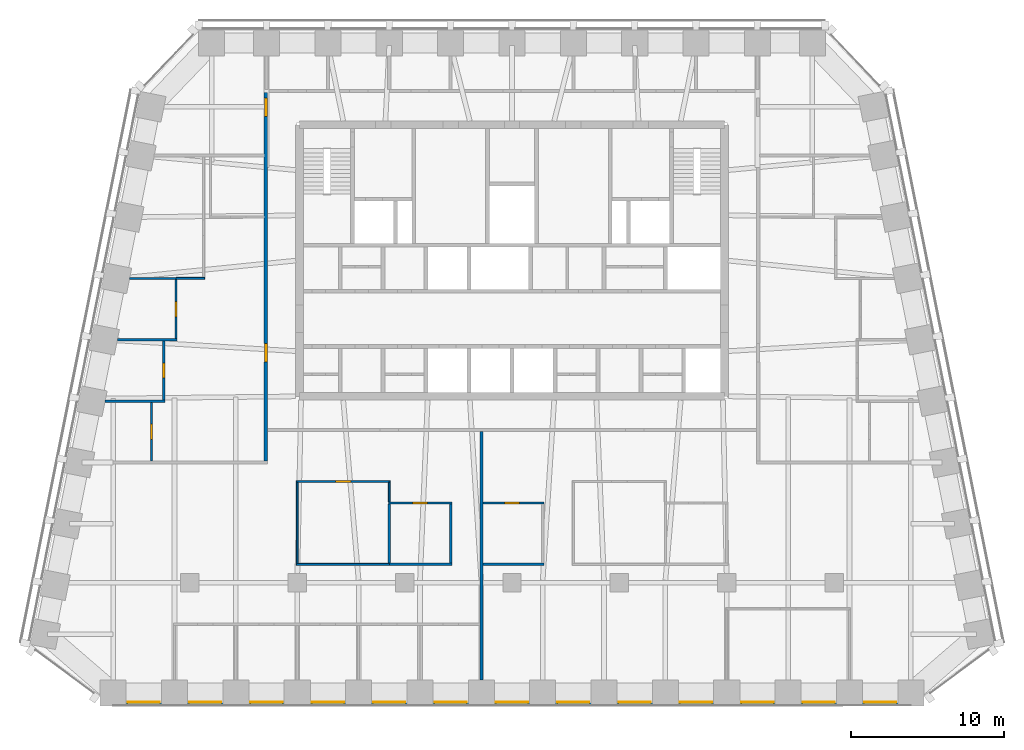
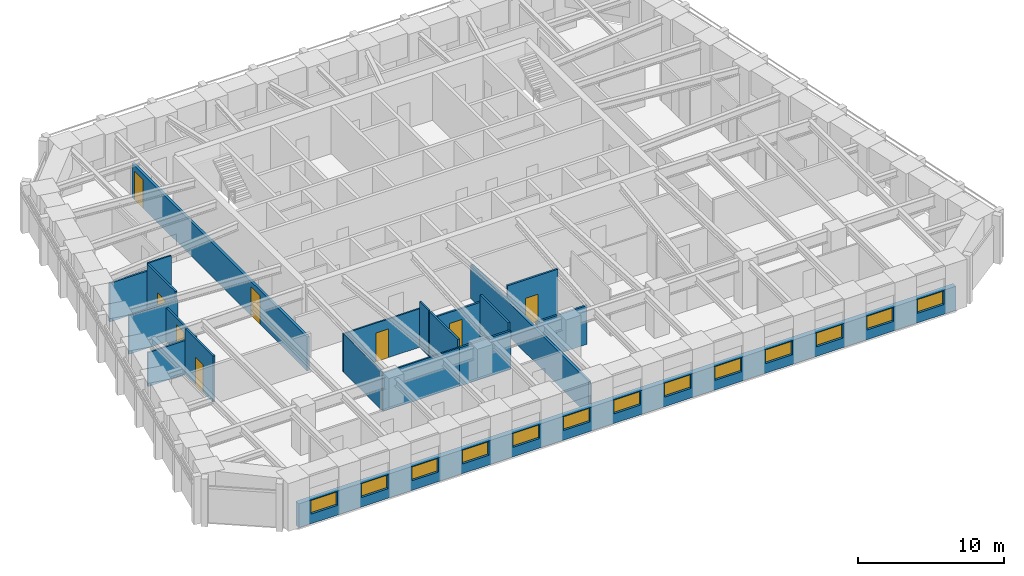
# One storey, part 5 of 11: 20 walls, 13 windows, 8 doors, 21 openings.
"""IFC4 building model written with IfcOpenShell, lengths in metres."""

from ifc_helpers import new_model, si_unit, direction, frame, frame_2d, origin, place, context, subcontext, project, spatial, rectangle, extrude, material, layer, layer_set, type_object, element, fill, save


model = new_model("IFC4")

# Units and contexts
model_context = context("Model", 3, precision=1e-05, world=origin(), true_north=direction((0.0, 1.0)))
body_context = subcontext(model_context, "Body", "Model", "MODEL_VIEW")
ifc_project = project(units=[si_unit("LENGTHUNIT", "METRE"), si_unit("AREAUNIT", "SQUARE_METRE"), si_unit("VOLUMEUNIT", "CUBIC_METRE"), si_unit("PLANEANGLEUNIT", "RADIAN"), si_unit("MASSUNIT", "GRAM", prefix="KILO")], contexts=[model_context])

# Site, building, storey
site_placement = place(None, origin())
site = spatial("IfcSite", under=ifc_project, at=site_placement, CompositionType="ELEMENT")
building_placement = place(site_placement, origin())
building = spatial("IfcBuilding", under=site, at=building_placement, Name="Isbrekke Arena Tower", CompositionType="ELEMENT")
storey_placement = place(building_placement, frame((0.0, 0.0, 264.0)))
storey = spatial("IfcBuildingStorey", under=building, at=storey_placement, Name="L61", CompositionType="ELEMENT", Elevation=264.0)

# Wall, openings, windows
ifc_material_1 = material(Name="Copper cladding on insulated framing", Category="metal")
ifc_layer_1 = layer(ifc_material_1, 0.39990234375)
ifc_layer_set_1 = layer_set([ifc_layer_1], Name="EW2 COPPER-CLAD WALL 400")
wall_type_1 = type_object("IfcWallType", Name="EW2 COPPER-CLAD WALL 400", PredefinedType="SOLIDWALL", material=ifc_layer_set_1)
wall_1_placement = place(storey_placement, frame((-26.0, -13.800048828125, 0.0), z_axis=(0.0, 0.0, 1.0), x_axis=(1.0, 0.0, 0.0)))
wall_1 = element("IfcWall", 1, at=wall_1_placement, inside=storey, type_object=wall_type_1, Name="EW2 terrace wall L61", PredefinedType="SOLIDWALL", context=body_context, shape_type="SweptSolid", body=[
    extrude(rectangle(XDim=52.0, YDim=0.39990234375, at=frame_2d((26.0, 0.0))), origin(), (0.0, 0.0, 1.0), 2.0),
])
opening_1_placement = place(wall_1_placement, frame((0.949951171875, 0.0, 0.800048828125)))
opening_1 = element("IfcOpeningElement", 2, at=opening_1_placement, cuts=wall_1, Name="Opening WN1", PredefinedType="OPENING", context=body_context, shape_type="SweptSolid", body=[
    extrude(rectangle(XDim=2.10009765625, YDim=1.14990234375, at=frame_2d((1.050048828125, 0.574951171875))), frame((0.0, 0.21484375, 0.0), z_axis=(0.0, -1.0, 0.0), x_axis=(1.0, 0.0, 0.0)), (0.0, 0.0, 1.0), 0.4296875),
])
opening_2_placement = place(wall_1_placement, frame((4.949951171875, 0.0, 0.800048828125)))
opening_2 = element("IfcOpeningElement", 3, at=opening_2_placement, cuts=wall_1, Name="Opening WN1", PredefinedType="OPENING", context=body_context, shape_type="SweptSolid", body=[
    extrude(rectangle(XDim=2.10009765625, YDim=1.14990234375, at=frame_2d((1.050048828125, 0.574951171875))), frame((0.0, 0.21484375, 0.0), z_axis=(0.0, -1.0, 0.0), x_axis=(1.0, 0.0, 0.0)), (0.0, 0.0, 1.0), 0.4296875),
])
opening_3_placement = place(wall_1_placement, frame((8.949951171875, 0.0, 0.800048828125)))
opening_3 = element("IfcOpeningElement", 4, at=opening_3_placement, cuts=wall_1, Name="Opening WN1", PredefinedType="OPENING", context=body_context, shape_type="SweptSolid", body=[
    extrude(rectangle(XDim=2.10009765625, YDim=1.14990234375, at=frame_2d((1.050048828125, 0.574951171875))), frame((0.0, 0.21484375, 0.0), z_axis=(0.0, -1.0, 0.0), x_axis=(1.0, 0.0, 0.0)), (0.0, 0.0, 1.0), 0.4296875),
])
opening_4_placement = place(wall_1_placement, frame((12.949951171875, 0.0, 0.800048828125)))
opening_4 = element("IfcOpeningElement", 5, at=opening_4_placement, cuts=wall_1, Name="Opening WN1", PredefinedType="OPENING", context=body_context, shape_type="SweptSolid", body=[
    extrude(rectangle(XDim=2.10009765625, YDim=1.14990234375, at=frame_2d((1.050048828125, 0.574951171875))), frame((0.0, 0.21484375, 0.0), z_axis=(0.0, -1.0, 0.0), x_axis=(1.0, 0.0, 0.0)), (0.0, 0.0, 1.0), 0.4296875),
])
opening_5_placement = place(wall_1_placement, frame((16.949951171875, 0.0, 0.800048828125)))
opening_5 = element("IfcOpeningElement", 6, at=opening_5_placement, cuts=wall_1, Name="Opening WN1", PredefinedType="OPENING", context=body_context, shape_type="SweptSolid", body=[
    extrude(rectangle(XDim=2.10009765625, YDim=1.14990234375, at=frame_2d((1.050048828125, 0.574951171875))), frame((0.0, 0.21484375, 0.0), z_axis=(0.0, -1.0, 0.0), x_axis=(1.0, 0.0, 0.0)), (0.0, 0.0, 1.0), 0.4296875),
])
opening_6_placement = place(wall_1_placement, frame((20.949951171875, 0.0, 0.800048828125)))
opening_6 = element("IfcOpeningElement", 7, at=opening_6_placement, cuts=wall_1, Name="Opening WN1", PredefinedType="OPENING", context=body_context, shape_type="SweptSolid", body=[
    extrude(rectangle(XDim=2.10009765625, YDim=1.14990234375, at=frame_2d((1.050048828125, 0.574951171875))), frame((0.0, 0.21484375, 0.0), z_axis=(0.0, -1.0, 0.0), x_axis=(1.0, 0.0, 0.0)), (0.0, 0.0, 1.0), 0.4296875),
])
opening_7_placement = place(wall_1_placement, frame((24.949951171875, 0.0, 0.800048828125)))
opening_7 = element("IfcOpeningElement", 8, at=opening_7_placement, cuts=wall_1, Name="Opening WN1", PredefinedType="OPENING", context=body_context, shape_type="SweptSolid", body=[
    extrude(rectangle(XDim=2.10009765625, YDim=1.14990234375, at=frame_2d((1.050048828125, 0.574951171875))), frame((0.0, 0.21484375, 0.0), z_axis=(0.0, -1.0, 0.0), x_axis=(1.0, 0.0, 0.0)), (0.0, 0.0, 1.0), 0.4296875),
])
opening_8_placement = place(wall_1_placement, frame((28.949951171875, 0.0, 0.800048828125)))
opening_8 = element("IfcOpeningElement", 9, at=opening_8_placement, cuts=wall_1, Name="Opening WN1", PredefinedType="OPENING", context=body_context, shape_type="SweptSolid", body=[
    extrude(rectangle(XDim=2.10009765625, YDim=1.14990234375, at=frame_2d((1.050048828125, 0.574951171875))), frame((0.0, 0.21484375, 0.0), z_axis=(0.0, -1.0, 0.0), x_axis=(1.0, 0.0, 0.0)), (0.0, 0.0, 1.0), 0.4296875),
])
opening_9_placement = place(wall_1_placement, frame((32.949951171875, 0.0, 0.800048828125)))
opening_9 = element("IfcOpeningElement", 10, at=opening_9_placement, cuts=wall_1, Name="Opening WN1", PredefinedType="OPENING", context=body_context, shape_type="SweptSolid", body=[
    extrude(rectangle(XDim=2.10009765625, YDim=1.14990234375, at=frame_2d((1.050048828125, 0.574951171875))), frame((0.0, 0.21484375, 0.0), z_axis=(0.0, -1.0, 0.0), x_axis=(1.0, 0.0, 0.0)), (0.0, 0.0, 1.0), 0.4296875),
])
opening_10_placement = place(wall_1_placement, frame((36.949951171875, 0.0, 0.800048828125)))
opening_10 = element("IfcOpeningElement", 11, at=opening_10_placement, cuts=wall_1, Name="Opening WN1", PredefinedType="OPENING", context=body_context, shape_type="SweptSolid", body=[
    extrude(rectangle(XDim=2.10009765625, YDim=1.14990234375, at=frame_2d((1.050048828125, 0.574951171875))), frame((0.0, 0.21484375, 0.0), z_axis=(0.0, -1.0, 0.0), x_axis=(1.0, 0.0, 0.0)), (0.0, 0.0, 1.0), 0.4296875),
])
opening_11_placement = place(wall_1_placement, frame((40.949951171875, 0.0, 0.800048828125)))
opening_11 = element("IfcOpeningElement", 12, at=opening_11_placement, cuts=wall_1, Name="Opening WN1", PredefinedType="OPENING", context=body_context, shape_type="SweptSolid", body=[
    extrude(rectangle(XDim=2.10009765625, YDim=1.14990234375, at=frame_2d((1.050048828125, 0.574951171875))), frame((0.0, 0.21484375, 0.0), z_axis=(0.0, -1.0, 0.0), x_axis=(1.0, 0.0, 0.0)), (0.0, 0.0, 1.0), 0.4296875),
])
opening_12_placement = place(wall_1_placement, frame((44.949951171875, 0.0, 0.800048828125)))
opening_12 = element("IfcOpeningElement", 13, at=opening_12_placement, cuts=wall_1, Name="Opening WN1", PredefinedType="OPENING", context=body_context, shape_type="SweptSolid", body=[
    extrude(rectangle(XDim=2.10009765625, YDim=1.14990234375, at=frame_2d((1.050048828125, 0.574951171875))), frame((0.0, 0.21484375, 0.0), z_axis=(0.0, -1.0, 0.0), x_axis=(1.0, 0.0, 0.0)), (0.0, 0.0, 1.0), 0.4296875),
])
opening_13_placement = place(wall_1_placement, frame((48.949951171875, 0.0, 0.800048828125)))
opening_13 = element("IfcOpeningElement", 14, at=opening_13_placement, cuts=wall_1, Name="Opening WN1", PredefinedType="OPENING", context=body_context, shape_type="SweptSolid", body=[
    extrude(rectangle(XDim=2.10009765625, YDim=1.14990234375, at=frame_2d((1.050048828125, 0.574951171875))), frame((0.0, 0.21484375, 0.0), z_axis=(0.0, -1.0, 0.0), x_axis=(1.0, 0.0, 0.0)), (0.0, 0.0, 1.0), 0.4296875),
])
ifc_material_2 = material(Name="Timber-aluminium window, triple glazed", Category="wood")
window_type = type_object("IfcWindowType", Name="WN1 TERRACE WINDOW 2100 x 1150", PartitioningType="SINGLE_PANEL", PredefinedType="WINDOW", material=ifc_material_2)
window_1_placement = place(opening_1_placement, origin())
window_1 = element("IfcWindow", 15, at=window_1_placement, inside=storey, type_object=window_type, Name="WN1 terrace window L61-1", OverallHeight=1.14990234375, OverallWidth=2.10009765625, PartitioningType="SINGLE_PANEL", PredefinedType="WINDOW", context=body_context, shape_type="SweptSolid", body=[
    extrude(rectangle(XDim=2.10009765625, YDim=1.14990234375, at=frame_2d((1.050048828125, 0.574951171875))), frame((0.0, 0.030029296875, 0.0), z_axis=(0.0, -1.0, 0.0), x_axis=(1.0, 0.0, 0.0)), (0.0, 0.0, 1.0), 0.06005859375),
])
fill(opening_1, window_1)
window_2_placement = place(opening_2_placement, origin())
window_2 = element("IfcWindow", 16, at=window_2_placement, inside=storey, type_object=window_type, Name="WN1 terrace window L61-2", OverallHeight=1.14990234375, OverallWidth=2.10009765625, PartitioningType="SINGLE_PANEL", PredefinedType="WINDOW", context=body_context, shape_type="SweptSolid", body=[
    extrude(rectangle(XDim=2.10009765625, YDim=1.14990234375, at=frame_2d((1.050048828125, 0.574951171875))), frame((0.0, 0.030029296875, 0.0), z_axis=(0.0, -1.0, 0.0), x_axis=(1.0, 0.0, 0.0)), (0.0, 0.0, 1.0), 0.06005859375),
])
fill(opening_2, window_2)
window_3_placement = place(opening_3_placement, origin())
window_3 = element("IfcWindow", 17, at=window_3_placement, inside=storey, type_object=window_type, Name="WN1 terrace window L61-3", OverallHeight=1.14990234375, OverallWidth=2.10009765625, PartitioningType="SINGLE_PANEL", PredefinedType="WINDOW", context=body_context, shape_type="SweptSolid", body=[
    extrude(rectangle(XDim=2.10009765625, YDim=1.14990234375, at=frame_2d((1.050048828125, 0.574951171875))), frame((0.0, 0.030029296875, 0.0), z_axis=(0.0, -1.0, 0.0), x_axis=(1.0, 0.0, 0.0)), (0.0, 0.0, 1.0), 0.06005859375),
])
fill(opening_3, window_3)
window_4_placement = place(opening_4_placement, origin())
window_4 = element("IfcWindow", 18, at=window_4_placement, inside=storey, type_object=window_type, Name="WN1 terrace window L61-4", OverallHeight=1.14990234375, OverallWidth=2.10009765625, PartitioningType="SINGLE_PANEL", PredefinedType="WINDOW", context=body_context, shape_type="SweptSolid", body=[
    extrude(rectangle(XDim=2.10009765625, YDim=1.14990234375, at=frame_2d((1.050048828125, 0.574951171875))), frame((0.0, 0.030029296875, 0.0), z_axis=(0.0, -1.0, 0.0), x_axis=(1.0, 0.0, 0.0)), (0.0, 0.0, 1.0), 0.06005859375),
])
fill(opening_4, window_4)
window_5_placement = place(opening_5_placement, origin())
window_5 = element("IfcWindow", 19, at=window_5_placement, inside=storey, type_object=window_type, Name="WN1 terrace window L61-5", OverallHeight=1.14990234375, OverallWidth=2.10009765625, PartitioningType="SINGLE_PANEL", PredefinedType="WINDOW", context=body_context, shape_type="SweptSolid", body=[
    extrude(rectangle(XDim=2.10009765625, YDim=1.14990234375, at=frame_2d((1.050048828125, 0.574951171875))), frame((0.0, 0.030029296875, 0.0), z_axis=(0.0, -1.0, 0.0), x_axis=(1.0, 0.0, 0.0)), (0.0, 0.0, 1.0), 0.06005859375),
])
fill(opening_5, window_5)
window_6_placement = place(opening_6_placement, origin())
window_6 = element("IfcWindow", 20, at=window_6_placement, inside=storey, type_object=window_type, Name="WN1 terrace window L61-6", OverallHeight=1.14990234375, OverallWidth=2.10009765625, PartitioningType="SINGLE_PANEL", PredefinedType="WINDOW", context=body_context, shape_type="SweptSolid", body=[
    extrude(rectangle(XDim=2.10009765625, YDim=1.14990234375, at=frame_2d((1.050048828125, 0.574951171875))), frame((0.0, 0.030029296875, 0.0), z_axis=(0.0, -1.0, 0.0), x_axis=(1.0, 0.0, 0.0)), (0.0, 0.0, 1.0), 0.06005859375),
])
fill(opening_6, window_6)
window_7_placement = place(opening_7_placement, origin())
window_7 = element("IfcWindow", 21, at=window_7_placement, inside=storey, type_object=window_type, Name="WN1 terrace window L61-7", OverallHeight=1.14990234375, OverallWidth=2.10009765625, PartitioningType="SINGLE_PANEL", PredefinedType="WINDOW", context=body_context, shape_type="SweptSolid", body=[
    extrude(rectangle(XDim=2.10009765625, YDim=1.14990234375, at=frame_2d((1.050048828125, 0.574951171875))), frame((0.0, 0.030029296875, 0.0), z_axis=(0.0, -1.0, 0.0), x_axis=(1.0, 0.0, 0.0)), (0.0, 0.0, 1.0), 0.06005859375),
])
fill(opening_7, window_7)
window_8_placement = place(opening_8_placement, origin())
window_8 = element("IfcWindow", 22, at=window_8_placement, inside=storey, type_object=window_type, Name="WN1 terrace window L61-8", OverallHeight=1.14990234375, OverallWidth=2.10009765625, PartitioningType="SINGLE_PANEL", PredefinedType="WINDOW", context=body_context, shape_type="SweptSolid", body=[
    extrude(rectangle(XDim=2.10009765625, YDim=1.14990234375, at=frame_2d((1.050048828125, 0.574951171875))), frame((0.0, 0.030029296875, 0.0), z_axis=(0.0, -1.0, 0.0), x_axis=(1.0, 0.0, 0.0)), (0.0, 0.0, 1.0), 0.06005859375),
])
fill(opening_8, window_8)
window_9_placement = place(opening_9_placement, origin())
window_9 = element("IfcWindow", 23, at=window_9_placement, inside=storey, type_object=window_type, Name="WN1 terrace window L61-9", OverallHeight=1.14990234375, OverallWidth=2.10009765625, PartitioningType="SINGLE_PANEL", PredefinedType="WINDOW", context=body_context, shape_type="SweptSolid", body=[
    extrude(rectangle(XDim=2.10009765625, YDim=1.14990234375, at=frame_2d((1.050048828125, 0.574951171875))), frame((0.0, 0.030029296875, 0.0), z_axis=(0.0, -1.0, 0.0), x_axis=(1.0, 0.0, 0.0)), (0.0, 0.0, 1.0), 0.06005859375),
])
fill(opening_9, window_9)
window_10_placement = place(opening_10_placement, origin())
window_10 = element("IfcWindow", 24, at=window_10_placement, inside=storey, type_object=window_type, Name="WN1 terrace window L61-10", OverallHeight=1.14990234375, OverallWidth=2.10009765625, PartitioningType="SINGLE_PANEL", PredefinedType="WINDOW", context=body_context, shape_type="SweptSolid", body=[
    extrude(rectangle(XDim=2.10009765625, YDim=1.14990234375, at=frame_2d((1.050048828125, 0.574951171875))), frame((0.0, 0.030029296875, 0.0), z_axis=(0.0, -1.0, 0.0), x_axis=(1.0, 0.0, 0.0)), (0.0, 0.0, 1.0), 0.06005859375),
])
fill(opening_10, window_10)
window_11_placement = place(opening_11_placement, origin())
window_11 = element("IfcWindow", 25, at=window_11_placement, inside=storey, type_object=window_type, Name="WN1 terrace window L61-11", OverallHeight=1.14990234375, OverallWidth=2.10009765625, PartitioningType="SINGLE_PANEL", PredefinedType="WINDOW", context=body_context, shape_type="SweptSolid", body=[
    extrude(rectangle(XDim=2.10009765625, YDim=1.14990234375, at=frame_2d((1.050048828125, 0.574951171875))), frame((0.0, 0.030029296875, 0.0), z_axis=(0.0, -1.0, 0.0), x_axis=(1.0, 0.0, 0.0)), (0.0, 0.0, 1.0), 0.06005859375),
])
fill(opening_11, window_11)
window_12_placement = place(opening_12_placement, origin())
window_12 = element("IfcWindow", 26, at=window_12_placement, inside=storey, type_object=window_type, Name="WN1 terrace window L61-12", OverallHeight=1.14990234375, OverallWidth=2.10009765625, PartitioningType="SINGLE_PANEL", PredefinedType="WINDOW", context=body_context, shape_type="SweptSolid", body=[
    extrude(rectangle(XDim=2.10009765625, YDim=1.14990234375, at=frame_2d((1.050048828125, 0.574951171875))), frame((0.0, 0.030029296875, 0.0), z_axis=(0.0, -1.0, 0.0), x_axis=(1.0, 0.0, 0.0)), (0.0, 0.0, 1.0), 0.06005859375),
])
fill(opening_12, window_12)
window_13_placement = place(opening_13_placement, origin())
window_13 = element("IfcWindow", 27, at=window_13_placement, inside=storey, type_object=window_type, Name="WN1 terrace window L61-13", OverallHeight=1.14990234375, OverallWidth=2.10009765625, PartitioningType="SINGLE_PANEL", PredefinedType="WINDOW", context=body_context, shape_type="SweptSolid", body=[
    extrude(rectangle(XDim=2.10009765625, YDim=1.14990234375, at=frame_2d((1.050048828125, 0.574951171875))), frame((0.0, 0.030029296875, 0.0), z_axis=(0.0, -1.0, 0.0), x_axis=(1.0, 0.0, 0.0)), (0.0, 0.0, 1.0), 0.06005859375),
])
fill(opening_13, window_13)

# Walls
ifc_material_3 = material(Name="Gypsum board partition on steel studs", Category="steel")
ifc_layer_2 = layer(ifc_material_3, 0.14990234375)
ifc_layer_set_2 = layer_set([ifc_layer_2], Name="IW1 PARTITION 150")
wall_type_2 = type_object("IfcWallType", Name="IW1 PARTITION 150", PredefinedType="PARTITIONING", material=ifc_layer_set_2)
wall_2_placement = place(storey_placement, frame((-8.0, -4.800048828125, 0.0), z_axis=(0.0, 0.0, 1.0), x_axis=(1.0, 0.0, 0.0)))
element("IfcWall", 28, at=wall_2_placement, inside=storey, type_object=wall_type_2, Name="IW1 partition 150 L61", PredefinedType="PARTITIONING", context=body_context, shape_type="SweptSolid", body=[
    extrude(rectangle(XDim=4.074951171875, YDim=0.14990234375, at=frame_2d((2.03759765625, 0.0))), origin(), (0.0, 0.0, 1.0), 3.22998046875),
])
wall_3_placement = place(storey_placement, frame((-1.89990234375, -4.800048828125, 0.0), z_axis=(0.0, 0.0, 1.0), x_axis=(1.0, 0.0, 0.0)))
element("IfcWall", 29, at=wall_3_placement, inside=storey, type_object=wall_type_2, Name="IW1 partition 150 L61", PredefinedType="PARTITIONING", context=body_context, shape_type="SweptSolid", body=[
    extrude(rectangle(XDim=3.974853515625, YDim=0.14990234375, at=frame_2d((1.9873046875, 0.0))), origin(), (0.0, 0.0, 1.0), 3.22998046875),
])

# Wall, opening, door
wall_4_placement = place(storey_placement, frame((-8.06005859375, -0.800048828125, 0.0), z_axis=(0.0, 0.0, 1.0), x_axis=(1.0, 0.0, 0.0)))
wall_4 = element("IfcWall", 30, at=wall_4_placement, inside=storey, type_object=wall_type_2, Name="IW1 partition 150 L61", PredefinedType="PARTITIONING", context=body_context, shape_type="SweptSolid", body=[
    extrude(rectangle(XDim=4.135009765625, YDim=0.14990234375, at=frame_2d((2.0673828125, 0.0))), origin(), (0.0, 0.0, 1.0), 3.22998046875),
])
opening_14_placement = place(wall_4_placement, frame((1.56005859375, 0.0, 0.0)))
opening_14 = element("IfcOpeningElement", 31, at=opening_14_placement, cuts=wall_4, Name="Opening D10", PredefinedType="OPENING", context=body_context, shape_type="SweptSolid", body=[
    extrude(rectangle(XDim=1.0, YDim=2.300048828125, at=frame_2d((0.5, 1.14990234375))), frame((0.0, 0.08984375, 0.0), z_axis=(0.0, -1.0, 0.0), x_axis=(1.0, 0.0, 0.0)), (0.0, 0.0, 1.0), 0.1796875),
])
ifc_material_4 = material(Name="Timber door", Category="wood")
door_type_1 = type_object("IfcDoorType", Name="D10 OFFICE DOOR 1000 x 2300", OperationType="SINGLE_SWING_LEFT", PredefinedType="DOOR", material=ifc_material_4)
door_1_placement = place(opening_14_placement, origin())
door_1 = element("IfcDoor", 32, at=door_1_placement, inside=storey, type_object=door_type_1, Name="D10 pantry door L61", OperationType="SINGLE_SWING_LEFT", OverallHeight=2.300048828125, OverallWidth=1.0, PredefinedType="DOOR", context=body_context, shape_type="SweptSolid", body=[
    extrude(rectangle(XDim=1.0, YDim=2.300048828125, at=frame_2d((0.5, 1.14990234375))), frame((0.0, 0.07470703125, 0.0), z_axis=(0.0, -1.0, 0.0), x_axis=(1.0, 0.0, 0.0)), (0.0, 0.0, 1.0), 0.1494140625),
])
fill(opening_14, door_1)

wall_5_placement = place(storey_placement, frame((-1.89990234375, -0.800048828125, 0.0), z_axis=(0.0, 0.0, 1.0), x_axis=(1.0, 0.0, 0.0)))
wall_5 = element("IfcWall", 33, at=wall_5_placement, inside=storey, type_object=wall_type_2, Name="IW1 partition 150 L61", PredefinedType="PARTITIONING", context=body_context, shape_type="SweptSolid", body=[
    extrude(rectangle(XDim=3.974853515625, YDim=0.14990234375, at=frame_2d((1.9873046875, 0.0))), origin(), (0.0, 0.0, 1.0), 3.85009765625),
])
opening_15_placement = place(wall_5_placement, frame((1.39990234375, 0.0, 0.0)))
opening_15 = element("IfcOpeningElement", 34, at=opening_15_placement, cuts=wall_5, Name="Opening D10", PredefinedType="OPENING", context=body_context, shape_type="SweptSolid", body=[
    extrude(rectangle(XDim=1.0, YDim=2.300048828125, at=frame_2d((0.5, 1.14990234375))), frame((0.0, 0.08984375, 0.0), z_axis=(0.0, -1.0, 0.0), x_axis=(1.0, 0.0, 0.0)), (0.0, 0.0, 1.0), 0.1796875),
])
door_2_placement = place(opening_15_placement, origin())
door_2 = element("IfcDoor", 35, at=door_2_placement, inside=storey, type_object=door_type_1, Name="D10 tea point door L61", OperationType="SINGLE_SWING_LEFT", OverallHeight=2.300048828125, OverallWidth=1.0, PredefinedType="DOOR", context=body_context, shape_type="SweptSolid", body=[
    extrude(rectangle(XDim=1.0, YDim=2.300048828125, at=frame_2d((0.5, 1.14990234375))), frame((0.0, 0.07470703125, 0.0), z_axis=(0.0, -1.0, 0.0), x_axis=(1.0, 0.0, 0.0)), (0.0, 0.0, 1.0), 0.1494140625),
])
fill(opening_15, door_2)

# Walls
wall_6_placement = place(storey_placement, frame((-26.523681640625, 5.840087890625, 0.0), z_axis=(0.0, 0.0, 1.0), x_axis=(1.0, 0.0, 0.0)))
element("IfcWall", 36, at=wall_6_placement, inside=storey, type_object=wall_type_2, Name="IW1 partition 150 L61", PredefinedType="PARTITIONING", context=body_context, shape_type="SweptSolid", body=[
    extrude(rectangle(XDim=3.898681640625, YDim=0.14990234375, at=frame_2d((1.94921875, 0.0))), origin(), (0.0, 0.0, 1.0), 2.842041015625),
])
wall_7_placement = place(storey_placement, frame((-25.723876953125, 9.840087890625, 0.0), z_axis=(0.0, 0.0, 1.0), x_axis=(1.0, 0.0, 0.0)))
element("IfcWall", 37, at=wall_7_placement, inside=storey, type_object=wall_type_2, Name="IW1 partition 150 L61", PredefinedType="PARTITIONING", context=body_context, shape_type="SweptSolid", body=[
    extrude(rectangle(XDim=3.89892578125, YDim=0.14990234375, at=frame_2d((1.949462890625, 0.0))), origin(), (0.0, 0.0, 1.0), 3.22998046875),
])
wall_8_placement = place(storey_placement, frame((-24.923828125, 13.840087890625, 0.0), z_axis=(0.0, 0.0, 1.0), x_axis=(1.0, 0.0, 0.0)))
element("IfcWall", 38, at=wall_8_placement, inside=storey, type_object=wall_type_2, Name="IW1 partition 150 L61", PredefinedType="PARTITIONING", context=body_context, shape_type="SweptSolid", body=[
    extrude(rectangle(XDim=3.02392578125, YDim=0.14990234375, at=frame_2d((1.511962890625, 0.0))), origin(), (0.0, 0.0, 1.0), 3.22998046875),
])

# Wall, opening, door
wall_9_placement = place(storey_placement, frame((-23.5, 1.93994140625, 0.0), z_axis=(0.0, 0.0, 1.0), x_axis=(0.0, 1.0, 0.0)))
wall_9 = element("IfcWall", 39, at=wall_9_placement, inside=storey, type_object=wall_type_2, Name="IW1 partition 150 L61", PredefinedType="PARTITIONING", context=body_context, shape_type="SweptSolid", body=[
    extrude(rectangle(XDim=3.824951171875, YDim=0.14990234375, at=frame_2d((1.91259765625, 0.0))), origin(), (0.0, 0.0, 1.0), 3.85009765625),
])
opening_16_placement = place(wall_9_placement, frame((1.39990234375, 0.0, 0.0)))
opening_16 = element("IfcOpeningElement", 40, at=opening_16_placement, cuts=wall_9, Name="Opening D10", PredefinedType="OPENING", context=body_context, shape_type="SweptSolid", body=[
    extrude(rectangle(XDim=1.0, YDim=2.300048828125, at=frame_2d((0.5, 1.14990234375))), frame((0.0, 0.08984375, 0.0), z_axis=(0.0, -1.0, 0.0), x_axis=(1.0, 0.0, 0.0)), (0.0, 0.0, 1.0), 0.1796875),
])
door_3_placement = place(opening_16_placement, origin())
door_3 = element("IfcDoor", 41, at=door_3_placement, inside=storey, type_object=door_type_1, Name="D10 office door L61", OperationType="SINGLE_SWING_LEFT", OverallHeight=2.300048828125, OverallWidth=1.0, PredefinedType="DOOR", context=body_context, shape_type="SweptSolid", body=[
    extrude(rectangle(XDim=1.0, YDim=2.300048828125, at=frame_2d((0.5, 1.14990234375))), frame((0.0, 0.07470703125, 0.0), z_axis=(0.0, -1.0, 0.0), x_axis=(1.0, 0.0, 0.0)), (0.0, 0.0, 1.0), 0.1494140625),
])
fill(opening_16, door_3)

wall_10_placement = place(storey_placement, frame((-22.699951171875, 5.9150390625, 0.0), z_axis=(0.0, 0.0, 1.0), x_axis=(0.0, 1.0, 0.0)))
wall_10 = element("IfcWall", 42, at=wall_10_placement, inside=storey, type_object=wall_type_2, Name="IW1 partition 150 L61", PredefinedType="PARTITIONING", context=body_context, shape_type="SweptSolid", body=[
    extrude(rectangle(XDim=3.849853515625, YDim=0.14990234375, at=frame_2d((1.9248046875, 0.0))), origin(), (0.0, 0.0, 1.0), 2.842041015625),
])
opening_17_placement = place(wall_10_placement, frame((1.425048828125, 0.0, 0.0)))
opening_17 = element("IfcOpeningElement", 43, at=opening_17_placement, cuts=wall_10, Name="Opening D10", PredefinedType="OPENING", context=body_context, shape_type="SweptSolid", body=[
    extrude(rectangle(XDim=1.0, YDim=2.300048828125, at=frame_2d((0.5, 1.14990234375))), frame((0.0, 0.08984375, 0.0), z_axis=(0.0, -1.0, 0.0), x_axis=(1.0, 0.0, 0.0)), (0.0, 0.0, 1.0), 0.1796875),
])
door_4_placement = place(opening_17_placement, origin())
door_4 = element("IfcDoor", 44, at=door_4_placement, inside=storey, type_object=door_type_1, Name="D10 office door L61", OperationType="SINGLE_SWING_LEFT", OverallHeight=2.300048828125, OverallWidth=1.0, PredefinedType="DOOR", context=body_context, shape_type="SweptSolid", body=[
    extrude(rectangle(XDim=1.0, YDim=2.300048828125, at=frame_2d((0.5, 1.14990234375))), frame((0.0, 0.07470703125, 0.0), z_axis=(0.0, -1.0, 0.0), x_axis=(1.0, 0.0, 0.0)), (0.0, 0.0, 1.0), 0.1494140625),
])
fill(opening_17, door_4)

wall_11_placement = place(storey_placement, frame((-21.89990234375, 9.9150390625, 0.0), z_axis=(0.0, 0.0, 1.0), x_axis=(0.0, 1.0, 0.0)))
wall_11 = element("IfcWall", 45, at=wall_11_placement, inside=storey, type_object=wall_type_2, Name="IW1 partition 150 L61", PredefinedType="PARTITIONING", context=body_context, shape_type="SweptSolid", body=[
    extrude(rectangle(XDim=3.849853515625, YDim=0.14990234375, at=frame_2d((1.9248046875, 0.0))), origin(), (0.0, 0.0, 1.0), 3.85009765625),
])
opening_18_placement = place(wall_11_placement, frame((1.425048828125, 0.0, 0.0)))
opening_18 = element("IfcOpeningElement", 46, at=opening_18_placement, cuts=wall_11, Name="Opening D10", PredefinedType="OPENING", context=body_context, shape_type="SweptSolid", body=[
    extrude(rectangle(XDim=1.0, YDim=2.300048828125, at=frame_2d((0.5, 1.14990234375))), frame((0.0, 0.08984375, 0.0), z_axis=(0.0, -1.0, 0.0), x_axis=(1.0, 0.0, 0.0)), (0.0, 0.0, 1.0), 0.1796875),
])
door_5_placement = place(opening_18_placement, origin())
door_5 = element("IfcDoor", 47, at=door_5_placement, inside=storey, type_object=door_type_1, Name="D10 office door L61", OperationType="SINGLE_SWING_LEFT", OverallHeight=2.300048828125, OverallWidth=1.0, PredefinedType="DOOR", context=body_context, shape_type="SweptSolid", body=[
    extrude(rectangle(XDim=1.0, YDim=2.300048828125, at=frame_2d((0.5, 1.14990234375))), frame((0.0, 0.07470703125, 0.0), z_axis=(0.0, -1.0, 0.0), x_axis=(1.0, 0.0, 0.0)), (0.0, 0.0, 1.0), 0.1494140625),
])
fill(opening_18, door_5)

# Walls
for number, where, z_axis, x_axis, name in (
    (48, (-8.0, -4.72509765625, 0.0), (0.0, 0.0, 1.0), (0.0, 1.0, 0.0), "IW1 partition 150 L61"),
    (49, (-4.0, -4.72509765625, 0.0), (0.0, 0.0, 1.0), (0.0, 1.0, 0.0), "IW1 partition 150 L61"),
):
    element("IfcWall", number, at=place(storey_placement, frame(where, z_axis=z_axis, x_axis=x_axis)), inside=storey, type_object=wall_type_2, Name=name, PredefinedType="PARTITIONING", context=body_context, shape_type="SweptSolid", body=[
        extrude(rectangle(XDim=3.85009765625, YDim=0.14990234375, at=frame_2d((1.925048828125, 0.0))), origin(), (0.0, 0.0, 1.0), 3.85009765625),
    ])
ifc_material_5 = material(Name="Frameless glazed partition, laminated acoustic glass", Category="glass")
ifc_layer_3 = layer(ifc_material_5, 0.1201171875)
ifc_layer_set_3 = layer_set([ifc_layer_3], Name="IW2 GLAZED PARTITION 120")
wall_type_3 = type_object("IfcWallType", Name="IW2 GLAZED PARTITION 120", PredefinedType="PARTITIONING", material=ifc_layer_set_3)
wall_12_placement = place(storey_placement, frame((-14.06005859375, -4.800048828125, 0.0), z_axis=(0.0, 0.0, 1.0), x_axis=(1.0, 0.0, 0.0)))
element("IfcWall", 50, at=wall_12_placement, inside=storey, type_object=wall_type_3, Name="IW2 glazed partition 120 L61", PredefinedType="PARTITIONING", context=body_context, shape_type="SweptSolid", body=[
    extrude(rectangle(XDim=6.06005859375, YDim=0.1201171875, at=frame_2d((3.030029296875, 0.0))), origin(), (0.0, 0.0, 1.0), 3.22998046875),
])

# Wall, opening, door
wall_13_placement = place(storey_placement, frame((-14.06005859375, 0.60009765625, 0.0), z_axis=(0.0, 0.0, 1.0), x_axis=(1.0, 0.0, 0.0)))
wall_13 = element("IfcWall", 51, at=wall_13_placement, inside=storey, type_object=wall_type_3, Name="IW2 glazed partition 120 L61", PredefinedType="PARTITIONING", context=body_context, shape_type="SweptSolid", body=[
    extrude(rectangle(XDim=6.1201171875, YDim=0.1201171875, at=frame_2d((3.06005859375, 0.0))), origin(), (0.0, 0.0, 1.0), 3.22998046875),
])
opening_19_placement = place(wall_13_placement, frame((2.56005859375, 0.0, 0.0)))
opening_19 = element("IfcOpeningElement", 52, at=opening_19_placement, cuts=wall_13, Name="Opening D11", PredefinedType="OPENING", context=body_context, shape_type="SweptSolid", body=[
    extrude(rectangle(XDim=1.0, YDim=2.39990234375, at=frame_2d((0.5, 1.199951171875))), frame((0.0, 0.074951171875, 0.0), z_axis=(0.0, -1.0, 0.0), x_axis=(1.0, 0.0, 0.0)), (0.0, 0.0, 1.0), 0.14990234375),
])
ifc_material_6 = material(Name="Frameless glazed door", Category="glass")
door_type_2 = type_object("IfcDoorType", Name="D11 GLAZED MEETING ROOM DOOR 1000 x 2400", OperationType="SINGLE_SWING_RIGHT", PredefinedType="DOOR", material=ifc_material_6)
door_6_placement = place(opening_19_placement, origin())
door_6 = element("IfcDoor", 53, at=door_6_placement, inside=storey, type_object=door_type_2, Name="D11 meeting room door L61", OperationType="SINGLE_SWING_RIGHT", OverallHeight=2.39990234375, OverallWidth=1.0, PredefinedType="DOOR", context=body_context, shape_type="SweptSolid", body=[
    extrude(rectangle(XDim=1.0, YDim=2.39990234375, at=frame_2d((0.5, 1.199951171875))), frame((0.0, 0.059814453125, 0.0), z_axis=(0.0, -1.0, 0.0), x_axis=(1.0, 0.0, 0.0)), (0.0, 0.0, 1.0), 0.11962890625),
])
fill(opening_19, door_6)

# Walls
wall_14_placement = place(storey_placement, frame((-21.89990234375, 13.840087890625, 0.0), z_axis=(0.0, 0.0, 1.0), x_axis=(1.0, 0.0, 0.0)))
element("IfcWall", 54, at=wall_14_placement, inside=storey, type_object=wall_type_3, Name="IW2 glazed partition 120 L61", PredefinedType="PARTITIONING", context=body_context, shape_type="SweptSolid", body=[
    extrude(rectangle(XDim=1.85986328125, YDim=0.1201171875, at=frame_2d((0.929931640625, 0.0))), origin(), (0.0, 0.0, 1.0), 3.85009765625),
])
wall_15_placement = place(storey_placement, frame((-14.0, -4.739990234375, 0.0), z_axis=(0.0, 0.0, 1.0), x_axis=(0.0, 1.0, 0.0)))
element("IfcWall", 55, at=wall_15_placement, inside=storey, type_object=wall_type_3, Name="IW2 glazed partition 120 L61", PredefinedType="PARTITIONING", context=body_context, shape_type="SweptSolid", body=[
    extrude(rectangle(XDim=5.280029296875, YDim=0.1201171875, at=frame_2d((2.64013671875, 0.0))), origin(), (0.0, 0.0, 1.0), 3.22998046875),
])
wall_16_placement = place(storey_placement, frame((-8.0, -0.72509765625, 0.0), z_axis=(0.0, 0.0, 1.0), x_axis=(0.0, 1.0, 0.0)))
element("IfcWall", 56, at=wall_16_placement, inside=storey, type_object=wall_type_3, Name="IW2 glazed partition 120 L61", PredefinedType="PARTITIONING", context=body_context, shape_type="SweptSolid", body=[
    extrude(rectangle(XDim=1.26513671875, YDim=0.1201171875, at=frame_2d((0.632568359375, 0.0))), origin(), (0.0, 0.0, 1.0), 3.85009765625),
])

# Wall, openings, doors
ifc_material_7 = material(Name="Gypsum board fire-cell wall on steel studs, two layers each side", Category="steel")
ifc_layer_4 = layer(ifc_material_7, 0.199951171875)
ifc_layer_set_4 = layer_set([ifc_layer_4], Name="IW3 FIRE-CELL WALL 200")
wall_type_4 = type_object("IfcWallType", Name="IW3 FIRE-CELL WALL 200", PredefinedType="PARTITIONING", material=ifc_layer_set_4)
wall_17_placement = place(storey_placement, frame((-16.050048828125, 1.93994140625, 0.0), z_axis=(0.0, 0.0, 1.0), x_axis=(0.0, 1.0, 0.0)))
wall_17 = element("IfcWall", 57, at=wall_17_placement, inside=storey, type_object=wall_type_4, Name="IW3 fire-cell wall 200 L61", PredefinedType="PARTITIONING", context=body_context, shape_type="SweptSolid", body=[
    extrude(rectangle(XDim=24.010009765625, YDim=0.199951171875, at=frame_2d((12.0048828125, 0.0))), origin(), (0.0, 0.0, 1.0), 2.842041015625),
])
opening_20_placement = place(wall_17_placement, frame((22.4599609375, 0.0, 0.0)))
opening_20 = element("IfcOpeningElement", 58, at=opening_20_placement, cuts=wall_17, Name="Opening D12", PredefinedType="OPENING", context=body_context, shape_type="SweptSolid", body=[
    extrude(rectangle(XDim=1.199951171875, YDim=2.39990234375, at=frame_2d((0.60009765625, 1.199951171875))), frame((0.0, 0.11474609375, 0.0), z_axis=(0.0, -1.0, 0.0), x_axis=(1.0, 0.0, 0.0)), (0.0, 0.0, 1.0), 0.229736328125),
])
opening_21_placement = place(wall_17_placement, frame((6.4599609375, 0.0, 0.0)))
opening_21 = element("IfcOpeningElement", 59, at=opening_21_placement, cuts=wall_17, Name="Opening D12", PredefinedType="OPENING", context=body_context, shape_type="SweptSolid", body=[
    extrude(rectangle(XDim=1.199951171875, YDim=2.39990234375, at=frame_2d((0.60009765625, 1.199951171875))), frame((0.0, 0.11474609375, 0.0), z_axis=(0.0, -1.0, 0.0), x_axis=(1.0, 0.0, 0.0)), (0.0, 0.0, 1.0), 0.229736328125),
])
ifc_material_8 = material(Name="Timber fire door with vision panel", Category="wood")
door_type_3 = type_object("IfcDoorType", Name="D12 SUITE ENTRANCE DOOR 1200 x 2400", OperationType="SINGLE_SWING_LEFT", PredefinedType="DOOR", material=ifc_material_8)
door_7_placement = place(opening_20_placement, origin())
door_7 = element("IfcDoor", 60, at=door_7_placement, inside=storey, type_object=door_type_3, Name="D12 suite entrance NCW door L61", OperationType="SINGLE_SWING_LEFT", OverallHeight=2.39990234375, OverallWidth=1.199951171875, PredefinedType="DOOR", context=body_context, shape_type="SweptSolid", body=[
    extrude(rectangle(XDim=1.199951171875, YDim=2.39990234375, at=frame_2d((0.60009765625, 1.199951171875))), frame((0.0, 0.099609375, 0.0), z_axis=(0.0, -1.0, 0.0), x_axis=(1.0, 0.0, 0.0)), (0.0, 0.0, 1.0), 0.199462890625),
])
fill(opening_20, door_7)
door_8_placement = place(opening_21_placement, origin())
door_8 = element("IfcDoor", 61, at=door_8_placement, inside=storey, type_object=door_type_3, Name="D12 suite entrance NW door L61", OperationType="SINGLE_SWING_LEFT", OverallHeight=2.39990234375, OverallWidth=1.199951171875, PredefinedType="DOOR", context=body_context, shape_type="SweptSolid", body=[
    extrude(rectangle(XDim=1.199951171875, YDim=2.39990234375, at=frame_2d((0.60009765625, 1.199951171875))), frame((0.0, 0.099609375, 0.0), z_axis=(0.0, -1.0, 0.0), x_axis=(1.0, 0.0, 0.0)), (0.0, 0.0, 1.0), 0.199462890625),
])
fill(opening_21, door_8)

# Wall
wall_18_placement = place(storey_placement, frame((-2.0, -12.324951171875, 0.0), z_axis=(0.0, 0.0, 1.0), x_axis=(0.0, 1.0, 0.0)))
element("IfcWall", 62, at=wall_18_placement, inside=storey, type_object=wall_type_4, Name="IW3 fire-cell wall 200 L61", PredefinedType="PARTITIONING", context=body_context, shape_type="SweptSolid", body=[
    extrude(rectangle(XDim=16.175048828125, YDim=0.199951171875, at=frame_2d((8.08740234375, 0.0))), origin(), (0.0, 0.0, 1.0), 2.842041015625),
])

save(model, "model.ifc")
